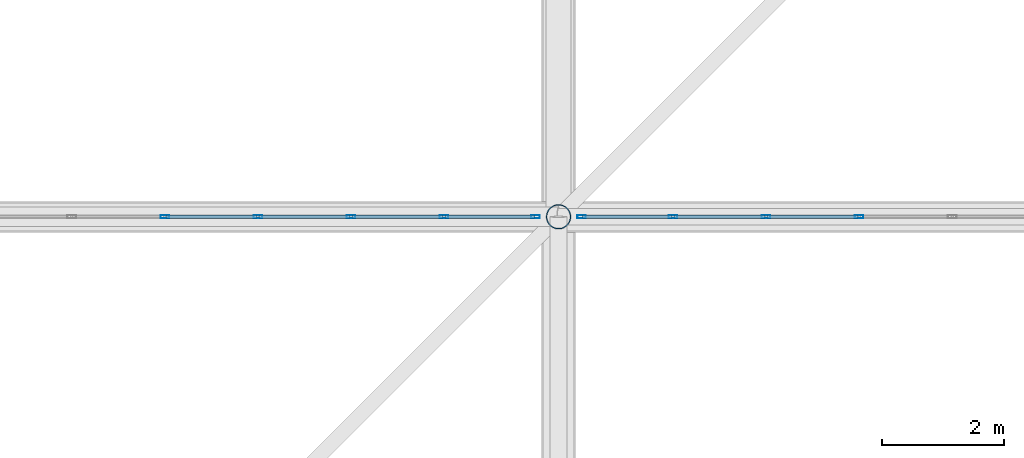
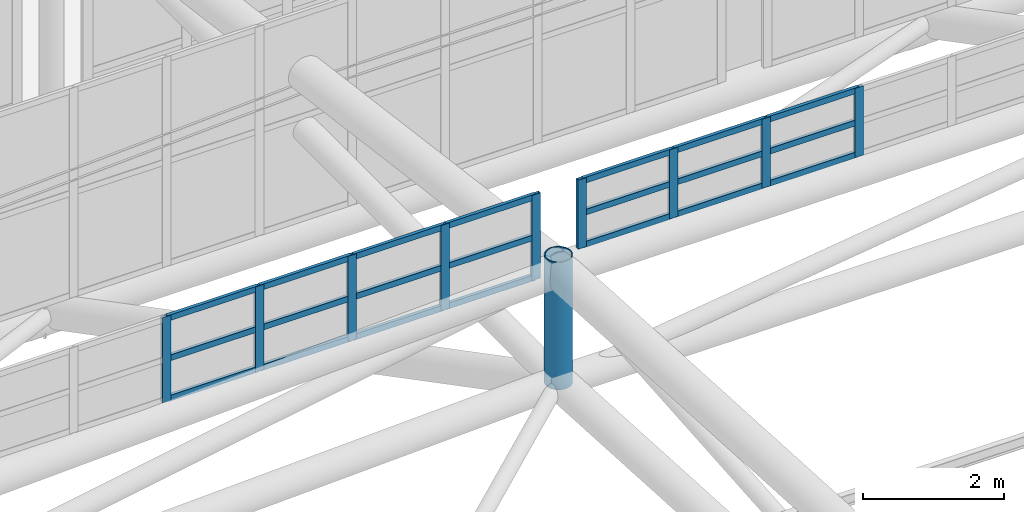
# One storey, part 245 of 397: 31 members, 2 elements without a shape of their own.
"""IFC4 building model written with IfcOpenShell, lengths in metres."""

from ifc_helpers import new_model, si_unit, direction, frame, origin, origin_2d, place, context, subcontext, project, spatial, hollow_rectangle, hollow_circle, extrude, material, material_profile, profile_set, type_object, element, aggregate, save


model = new_model("IFC4")

# Units and contexts
model_context = context("Model", 3, precision=1e-05, world=origin(), true_north=direction((0.0, 1.0)))
body_context = subcontext(model_context, "Body", "Model", "MODEL_VIEW")
ifc_project = project(units=[si_unit("LENGTHUNIT", "METRE"), si_unit("AREAUNIT", "SQUARE_METRE"), si_unit("VOLUMEUNIT", "CUBIC_METRE"), si_unit("PLANEANGLEUNIT", "RADIAN"), si_unit("MASSUNIT", "GRAM", prefix="KILO")], contexts=[model_context])

# Site, building, storey
site_placement = place(None, origin())
site = spatial("IfcSite", under=ifc_project, at=site_placement, CompositionType="ELEMENT")
building_placement = place(site_placement, origin())
building = spatial("IfcBuilding", under=site, at=building_placement, Name="Qandorah Velis Arena", CompositionType="ELEMENT")
storey_placement = place(building_placement, frame((0.0, 0.0, 27.5)))
storey = spatial("IfcBuildingStorey", under=building, at=storey_placement, Name="RF", CompositionType="ELEMENT", Elevation=27.5)

# Curtain wall, members
ifc_material_1 = material(Name="Solar-control low-E double glazing", Category="glass")
curtain_wall_type_1 = type_object("IfcCurtainWallType", Name="ARC-CW-SYS22", PredefinedType="USERDEFINED", material=ifc_material_1)
curtain_wall_1_placement = place(storey_placement, origin())
curtain_wall_1 = element("IfcCurtainWall", 1, at=curtain_wall_1_placement, inside=storey, type_object=curtain_wall_type_1, Name="Unitised curtain wall OCULUS-4-2", ObjectType="UNITISED CURTAIN WALL", PredefinedType="USERDEFINED")
ifc_material_2 = material(Name="Champagne-bronze anodized aluminium 6063-T6", Category="aluminium")
ifc_material_profile_1 = material_profile(ifc_material_2, hollow_rectangle(XDim=0.054931640625, YDim=0.139892578125, WallThickness=0.0029296875, at=origin_2d()), Name="ALU MULLION 55x140")
ifc_profile_set_1 = profile_set([ifc_material_profile_1], Name="Champagne-bronze anodized aluminium 6063-T6")
member_type_1 = type_object("IfcMemberType", Name="ARC-CWM-140", PredefinedType="MULLION", material=ifc_profile_set_1)
member_1_placement = place(storey_placement, frame((51.1611328125, 100.800048828125, 9.5341796875), z_axis=(0.0, 0.0, 1.0), x_axis=(0.0, 1.0, 0.0)))
member_1 = element("IfcMember", 2, at=member_1_placement, type_object=member_type_1, Name="CW22 mullion 6", PredefinedType="MULLION", context=body_context, shape_type="SweptSolid", body=[
    extrude(hollow_rectangle(XDim=0.054931640625, YDim=0.139892578125, WallThickness=0.0029296875, at=origin_2d()), origin(), (0.0, 0.0, 1.0), 1.480712890625),
])
member_2_placement = place(storey_placement, frame((52.683349609375, 100.800048828125, 9.5341796875), z_axis=(0.0, 0.0, 1.0), x_axis=(0.0, 1.0, 0.0)))
member_2 = element("IfcMember", 3, at=member_2_placement, type_object=member_type_1, Name="CW22 mullion 7", PredefinedType="MULLION", context=body_context, shape_type="SweptSolid", body=[
    extrude(hollow_rectangle(XDim=0.054931640625, YDim=0.139892578125, WallThickness=0.0029296875, at=origin_2d()), origin(), (0.0, 0.0, 1.0), 1.480712890625),
])
member_3_placement = place(storey_placement, frame((54.20556640625, 100.800048828125, 9.5341796875), z_axis=(0.0, 0.0, 1.0), x_axis=(0.0, 1.0, 0.0)))
member_3 = element("IfcMember", 4, at=member_3_placement, type_object=member_type_1, Name="CW22 mullion 8", PredefinedType="MULLION", context=body_context, shape_type="SweptSolid", body=[
    extrude(hollow_rectangle(XDim=0.054931640625, YDim=0.139892578125, WallThickness=0.0029296875, at=origin_2d()), origin(), (0.0, 0.0, 1.0), 1.480712890625),
])
member_4_placement = place(storey_placement, frame((55.727783203125, 100.800048828125, 9.5341796875), z_axis=(0.0, 0.0, 1.0), x_axis=(0.0, 1.0, 0.0)))
member_4 = element("IfcMember", 5, at=member_4_placement, type_object=member_type_1, Name="CW22 mullion 9", PredefinedType="MULLION", context=body_context, shape_type="SweptSolid", body=[
    extrude(hollow_rectangle(XDim=0.054931640625, YDim=0.139892578125, WallThickness=0.0029296875, at=origin_2d()), origin(), (0.0, 0.0, 1.0), 1.480712890625),
])
member_5_placement = place(storey_placement, frame((57.222412109375, 100.800048828125, 9.5341796875), z_axis=(0.0, 0.0, 1.0), x_axis=(0.0, 1.0, 0.0)))
member_5 = element("IfcMember", 6, at=member_5_placement, type_object=member_type_1, Name="CW22 mullion 10", PredefinedType="MULLION", context=body_context, shape_type="SweptSolid", body=[
    extrude(hollow_rectangle(XDim=0.054931640625, YDim=0.139892578125, WallThickness=0.0029296875, at=origin_2d()), origin(), (0.0, 0.0, 1.0), 1.480712890625),
])

curtain_wall_type_2 = type_object("IfcCurtainWallType", Name="ARC-CW-SYS23", PredefinedType="USERDEFINED", material=ifc_material_1)
curtain_wall_2_placement = place(storey_placement, origin())
curtain_wall_2 = element("IfcCurtainWall", 7, at=curtain_wall_2_placement, inside=storey, type_object=curtain_wall_type_2, Name="Unitised curtain wall OCULUS-4-3", ObjectType="UNITISED CURTAIN WALL", PredefinedType="USERDEFINED")
member_6_placement = place(storey_placement, frame((57.9775390625, 100.800048828125, 9.81640625), z_axis=(0.0, 0.0, 1.0), x_axis=(0.0, 1.0, 0.0)))
member_6 = element("IfcMember", 8, at=member_6_placement, type_object=member_type_1, Name="CW23 mullion 1", PredefinedType="MULLION", context=body_context, shape_type="SweptSolid", body=[
    extrude(hollow_rectangle(XDim=0.054931640625, YDim=0.139892578125, WallThickness=0.0029296875, at=origin_2d()), origin(), (0.0, 0.0, 1.0), 1.198486328125),
])
member_7_placement = place(storey_placement, frame((59.47216796875, 100.800048828125, 9.81640625), z_axis=(0.0, 0.0, 1.0), x_axis=(0.0, 1.0, 0.0)))
member_7 = element("IfcMember", 9, at=member_7_placement, type_object=member_type_1, Name="CW23 mullion 2", PredefinedType="MULLION", context=body_context, shape_type="SweptSolid", body=[
    extrude(hollow_rectangle(XDim=0.054931640625, YDim=0.139892578125, WallThickness=0.0029296875, at=origin_2d()), origin(), (0.0, 0.0, 1.0), 1.198486328125),
])
member_8_placement = place(storey_placement, frame((60.994384765625, 100.800048828125, 9.81640625), z_axis=(0.0, 0.0, 1.0), x_axis=(0.0, 1.0, 0.0)))
member_8 = element("IfcMember", 10, at=member_8_placement, type_object=member_type_1, Name="CW23 mullion 3", PredefinedType="MULLION", context=body_context, shape_type="SweptSolid", body=[
    extrude(hollow_rectangle(XDim=0.054931640625, YDim=0.139892578125, WallThickness=0.0029296875, at=origin_2d()), origin(), (0.0, 0.0, 1.0), 1.198486328125),
])
member_9_placement = place(storey_placement, frame((62.5166015625, 100.800048828125, 9.81640625), z_axis=(0.0, 0.0, 1.0), x_axis=(0.0, 1.0, 0.0)))
member_9 = element("IfcMember", 11, at=member_9_placement, type_object=member_type_1, Name="CW23 mullion 4", PredefinedType="MULLION", context=body_context, shape_type="SweptSolid", body=[
    extrude(hollow_rectangle(XDim=0.054931640625, YDim=0.139892578125, WallThickness=0.0029296875, at=origin_2d()), origin(), (0.0, 0.0, 1.0), 1.198486328125),
])

# Member
ifc_material_profile_2 = material_profile(ifc_material_2, hollow_rectangle(XDim=0.054931640625, YDim=0.10009765625, WallThickness=0.0029296875, at=origin_2d()), Name="ALU TRANSOM 55x100")
ifc_profile_set_2 = profile_set([ifc_material_profile_2], Name="Champagne-bronze anodized aluminium 6063-T6")
member_type_2 = type_object("IfcMemberType", Name="ARC-CWT-100", PredefinedType="USERDEFINED", material=ifc_profile_set_2)
member_10_placement = place(storey_placement, frame((51.176513671875, 100.800048828125, 9.57666015625), z_axis=(1.0, 0.0, 0.0), x_axis=(0.0, 1.0, 0.0)))
member_10 = element("IfcMember", 12, at=member_10_placement, type_object=member_type_2, Name="CW22 transom 6.1", ObjectType="TRANSOM", PredefinedType="USERDEFINED", context=body_context, shape_type="SweptSolid", body=[
    extrude(hollow_rectangle(XDim=0.054931640625, YDim=0.10009765625, WallThickness=0.0029296875, at=origin_2d()), origin(), (0.0, 0.0, 1.0), 1.4912109375),
])

member_11_placement = place(storey_placement, frame((51.176513671875, 100.800048828125, 10.274658203125), z_axis=(1.0, 0.0, 0.0), x_axis=(0.0, 1.0, 0.0)))
member_11 = element("IfcMember", 13, at=member_11_placement, type_object=member_type_2, Name="CW22 transom 6.2", ObjectType="TRANSOM", PredefinedType="USERDEFINED", context=body_context, shape_type="SweptSolid", body=[
    extrude(hollow_rectangle(XDim=0.054931640625, YDim=0.10009765625, WallThickness=0.0029296875, at=origin_2d()), origin(), (0.0, 0.0, 1.0), 1.4912109375),
])

member_12_placement = place(storey_placement, frame((51.176513671875, 100.800048828125, 10.972412109375), z_axis=(1.0, 0.0, 0.0), x_axis=(0.0, 1.0, 0.0)))
member_12 = element("IfcMember", 14, at=member_12_placement, type_object=member_type_2, Name="CW22 transom 6.3", ObjectType="TRANSOM", PredefinedType="USERDEFINED", context=body_context, shape_type="SweptSolid", body=[
    extrude(hollow_rectangle(XDim=0.054931640625, YDim=0.10009765625, WallThickness=0.0029296875, at=origin_2d()), origin(), (0.0, 0.0, 1.0), 1.4912109375),
])

member_13_placement = place(storey_placement, frame((52.69873046875, 100.800048828125, 9.57666015625), z_axis=(1.0, 0.0, 0.0), x_axis=(0.0, 1.0, 0.0)))
member_13 = element("IfcMember", 15, at=member_13_placement, type_object=member_type_2, Name="CW22 transom 7.1", ObjectType="TRANSOM", PredefinedType="USERDEFINED", context=body_context, shape_type="SweptSolid", body=[
    extrude(hollow_rectangle(XDim=0.054931640625, YDim=0.10009765625, WallThickness=0.0029296875, at=origin_2d()), origin(), (0.0, 0.0, 1.0), 1.491455078125),
])

member_14_placement = place(storey_placement, frame((52.69873046875, 100.800048828125, 10.274658203125), z_axis=(1.0, 0.0, 0.0), x_axis=(0.0, 1.0, 0.0)))
member_14 = element("IfcMember", 16, at=member_14_placement, type_object=member_type_2, Name="CW22 transom 7.2", ObjectType="TRANSOM", PredefinedType="USERDEFINED", context=body_context, shape_type="SweptSolid", body=[
    extrude(hollow_rectangle(XDim=0.054931640625, YDim=0.10009765625, WallThickness=0.0029296875, at=origin_2d()), origin(), (0.0, 0.0, 1.0), 1.491455078125),
])

member_15_placement = place(storey_placement, frame((52.69873046875, 100.800048828125, 10.972412109375), z_axis=(1.0, 0.0, 0.0), x_axis=(0.0, 1.0, 0.0)))
member_15 = element("IfcMember", 17, at=member_15_placement, type_object=member_type_2, Name="CW22 transom 7.3", ObjectType="TRANSOM", PredefinedType="USERDEFINED", context=body_context, shape_type="SweptSolid", body=[
    extrude(hollow_rectangle(XDim=0.054931640625, YDim=0.10009765625, WallThickness=0.0029296875, at=origin_2d()), origin(), (0.0, 0.0, 1.0), 1.491455078125),
])

member_16_placement = place(storey_placement, frame((54.22119140625, 100.800048828125, 9.57666015625), z_axis=(1.0, 0.0, 0.0), x_axis=(0.0, 1.0, 0.0)))
member_16 = element("IfcMember", 18, at=member_16_placement, type_object=member_type_2, Name="CW22 transom 8.1", ObjectType="TRANSOM", PredefinedType="USERDEFINED", context=body_context, shape_type="SweptSolid", body=[
    extrude(hollow_rectangle(XDim=0.054931640625, YDim=0.10009765625, WallThickness=0.0029296875, at=origin_2d()), origin(), (0.0, 0.0, 1.0), 1.4912109375),
])

member_17_placement = place(storey_placement, frame((54.22119140625, 100.800048828125, 10.274658203125), z_axis=(1.0, 0.0, 0.0), x_axis=(0.0, 1.0, 0.0)))
member_17 = element("IfcMember", 19, at=member_17_placement, type_object=member_type_2, Name="CW22 transom 8.2", ObjectType="TRANSOM", PredefinedType="USERDEFINED", context=body_context, shape_type="SweptSolid", body=[
    extrude(hollow_rectangle(XDim=0.054931640625, YDim=0.10009765625, WallThickness=0.0029296875, at=origin_2d()), origin(), (0.0, 0.0, 1.0), 1.4912109375),
])

member_18_placement = place(storey_placement, frame((54.22119140625, 100.800048828125, 10.972412109375), z_axis=(1.0, 0.0, 0.0), x_axis=(0.0, 1.0, 0.0)))
member_18 = element("IfcMember", 20, at=member_18_placement, type_object=member_type_2, Name="CW22 transom 8.3", ObjectType="TRANSOM", PredefinedType="USERDEFINED", context=body_context, shape_type="SweptSolid", body=[
    extrude(hollow_rectangle(XDim=0.054931640625, YDim=0.10009765625, WallThickness=0.0029296875, at=origin_2d()), origin(), (0.0, 0.0, 1.0), 1.4912109375),
])

member_19_placement = place(storey_placement, frame((55.743408203125, 100.800048828125, 9.57666015625), z_axis=(1.0, 0.0, 0.0), x_axis=(0.0, 1.0, 0.0)))
member_19 = element("IfcMember", 21, at=member_19_placement, type_object=member_type_2, Name="CW22 transom 9.1", ObjectType="TRANSOM", PredefinedType="USERDEFINED", context=body_context, shape_type="SweptSolid", body=[
    extrude(hollow_rectangle(XDim=0.054931640625, YDim=0.10009765625, WallThickness=0.0029296875, at=origin_2d()), origin(), (0.0, 0.0, 1.0), 1.463623046875),
])

member_20_placement = place(storey_placement, frame((55.743408203125, 100.800048828125, 10.274658203125), z_axis=(1.0, 0.0, 0.0), x_axis=(0.0, 1.0, 0.0)))
member_20 = element("IfcMember", 22, at=member_20_placement, type_object=member_type_2, Name="CW22 transom 9.2", ObjectType="TRANSOM", PredefinedType="USERDEFINED", context=body_context, shape_type="SweptSolid", body=[
    extrude(hollow_rectangle(XDim=0.054931640625, YDim=0.10009765625, WallThickness=0.0029296875, at=origin_2d()), origin(), (0.0, 0.0, 1.0), 1.463623046875),
])

member_21_placement = place(storey_placement, frame((55.743408203125, 100.800048828125, 10.972412109375), z_axis=(1.0, 0.0, 0.0), x_axis=(0.0, 1.0, 0.0)))
member_21 = element("IfcMember", 23, at=member_21_placement, type_object=member_type_2, Name="CW22 transom 9.3", ObjectType="TRANSOM", PredefinedType="USERDEFINED", context=body_context, shape_type="SweptSolid", body=[
    extrude(hollow_rectangle(XDim=0.054931640625, YDim=0.10009765625, WallThickness=0.0029296875, at=origin_2d()), origin(), (0.0, 0.0, 1.0), 1.463623046875),
])

aggregate(curtain_wall_1, [member_1, member_2, member_3, member_4, member_5, member_10, member_11, member_12, member_13, member_14, member_15, member_16, member_17, member_18, member_19, member_20, member_21])

member_22_placement = place(storey_placement, frame((57.992919921875, 100.800048828125, 9.85888671875), z_axis=(1.0, 0.0, 0.0), x_axis=(0.0, 1.0, 0.0)))
member_22 = element("IfcMember", 24, at=member_22_placement, type_object=member_type_2, Name="CW23 transom 1.1", ObjectType="TRANSOM", PredefinedType="USERDEFINED", context=body_context, shape_type="SweptSolid", body=[
    extrude(hollow_rectangle(XDim=0.054931640625, YDim=0.10009765625, WallThickness=0.0029296875, at=origin_2d()), origin(), (0.0, 0.0, 1.0), 1.4638671875),
])

member_23_placement = place(storey_placement, frame((57.992919921875, 100.800048828125, 10.415771484375), z_axis=(1.0, 0.0, 0.0), x_axis=(0.0, 1.0, 0.0)))
member_23 = element("IfcMember", 25, at=member_23_placement, type_object=member_type_2, Name="CW23 transom 1.2", ObjectType="TRANSOM", PredefinedType="USERDEFINED", context=body_context, shape_type="SweptSolid", body=[
    extrude(hollow_rectangle(XDim=0.054931640625, YDim=0.10009765625, WallThickness=0.0029296875, at=origin_2d()), origin(), (0.0, 0.0, 1.0), 1.4638671875),
])

member_24_placement = place(storey_placement, frame((57.992919921875, 100.800048828125, 10.972412109375), z_axis=(1.0, 0.0, 0.0), x_axis=(0.0, 1.0, 0.0)))
member_24 = element("IfcMember", 26, at=member_24_placement, type_object=member_type_2, Name="CW23 transom 1.3", ObjectType="TRANSOM", PredefinedType="USERDEFINED", context=body_context, shape_type="SweptSolid", body=[
    extrude(hollow_rectangle(XDim=0.054931640625, YDim=0.10009765625, WallThickness=0.0029296875, at=origin_2d()), origin(), (0.0, 0.0, 1.0), 1.4638671875),
])

member_25_placement = place(storey_placement, frame((59.48779296875, 100.800048828125, 9.85888671875), z_axis=(1.0, 0.0, 0.0), x_axis=(0.0, 1.0, 0.0)))
member_25 = element("IfcMember", 27, at=member_25_placement, type_object=member_type_2, Name="CW23 transom 2.1", ObjectType="TRANSOM", PredefinedType="USERDEFINED", context=body_context, shape_type="SweptSolid", body=[
    extrude(hollow_rectangle(XDim=0.054931640625, YDim=0.10009765625, WallThickness=0.0029296875, at=origin_2d()), origin(), (0.0, 0.0, 1.0), 1.4912109375),
])

member_26_placement = place(storey_placement, frame((59.48779296875, 100.800048828125, 10.415771484375), z_axis=(1.0, 0.0, 0.0), x_axis=(0.0, 1.0, 0.0)))
member_26 = element("IfcMember", 28, at=member_26_placement, type_object=member_type_2, Name="CW23 transom 2.2", ObjectType="TRANSOM", PredefinedType="USERDEFINED", context=body_context, shape_type="SweptSolid", body=[
    extrude(hollow_rectangle(XDim=0.054931640625, YDim=0.10009765625, WallThickness=0.0029296875, at=origin_2d()), origin(), (0.0, 0.0, 1.0), 1.4912109375),
])

member_27_placement = place(storey_placement, frame((59.48779296875, 100.800048828125, 10.972412109375), z_axis=(1.0, 0.0, 0.0), x_axis=(0.0, 1.0, 0.0)))
member_27 = element("IfcMember", 29, at=member_27_placement, type_object=member_type_2, Name="CW23 transom 2.3", ObjectType="TRANSOM", PredefinedType="USERDEFINED", context=body_context, shape_type="SweptSolid", body=[
    extrude(hollow_rectangle(XDim=0.054931640625, YDim=0.10009765625, WallThickness=0.0029296875, at=origin_2d()), origin(), (0.0, 0.0, 1.0), 1.4912109375),
])

member_28_placement = place(storey_placement, frame((61.010009765625, 100.800048828125, 9.85888671875), z_axis=(1.0, 0.0, 0.0), x_axis=(0.0, 1.0, 0.0)))
member_28 = element("IfcMember", 30, at=member_28_placement, type_object=member_type_2, Name="CW23 transom 3.1", ObjectType="TRANSOM", PredefinedType="USERDEFINED", context=body_context, shape_type="SweptSolid", body=[
    extrude(hollow_rectangle(XDim=0.054931640625, YDim=0.10009765625, WallThickness=0.0029296875, at=origin_2d()), origin(), (0.0, 0.0, 1.0), 1.4912109375),
])

member_29_placement = place(storey_placement, frame((61.010009765625, 100.800048828125, 10.415771484375), z_axis=(1.0, 0.0, 0.0), x_axis=(0.0, 1.0, 0.0)))
member_29 = element("IfcMember", 31, at=member_29_placement, type_object=member_type_2, Name="CW23 transom 3.2", ObjectType="TRANSOM", PredefinedType="USERDEFINED", context=body_context, shape_type="SweptSolid", body=[
    extrude(hollow_rectangle(XDim=0.054931640625, YDim=0.10009765625, WallThickness=0.0029296875, at=origin_2d()), origin(), (0.0, 0.0, 1.0), 1.4912109375),
])

member_30_placement = place(storey_placement, frame((61.010009765625, 100.800048828125, 10.972412109375), z_axis=(1.0, 0.0, 0.0), x_axis=(0.0, 1.0, 0.0)))
member_30 = element("IfcMember", 32, at=member_30_placement, type_object=member_type_2, Name="CW23 transom 3.3", ObjectType="TRANSOM", PredefinedType="USERDEFINED", context=body_context, shape_type="SweptSolid", body=[
    extrude(hollow_rectangle(XDim=0.054931640625, YDim=0.10009765625, WallThickness=0.0029296875, at=origin_2d()), origin(), (0.0, 0.0, 1.0), 1.4912109375),
])

aggregate(curtain_wall_2, [member_6, member_7, member_8, member_9, member_22, member_23, member_24, member_25, member_26, member_27, member_28, member_29, member_30])

ifc_material_3 = material(Name="Steel S355", Category="steel")
ifc_material_profile_3 = material_profile(ifc_material_3, hollow_circle(Radius=0.203125, WallThickness=0.01611328125, at=origin_2d()), Name="CHS 406.4x16")
ifc_profile_set_3 = profile_set([ifc_material_profile_3], Name="Steel S355")
member_type_3 = type_object("IfcMemberType", Name="STR-SFD-CHS406X16", PredefinedType="STRUT", material=ifc_profile_set_3)
member_31_placement = place(storey_placement, frame((57.60009765625, 100.800048828125, 7.61328125), z_axis=(0.0, 0.0, 1.0), x_axis=(1.0, 0.0, 0.0)))
element("IfcMember", 33, at=member_31_placement, inside=storey, type_object=member_type_3, Name="Space frame roof vertical post 3.6", PredefinedType="STRUT", context=body_context, shape_type="SweptSolid", body=[
    extrude(hollow_circle(Radius=0.203125, WallThickness=0.01611328125, at=origin_2d()), origin(), (0.0, 0.0, 1.0), 2.2099609375),
])

save(model, "model.ifc")
